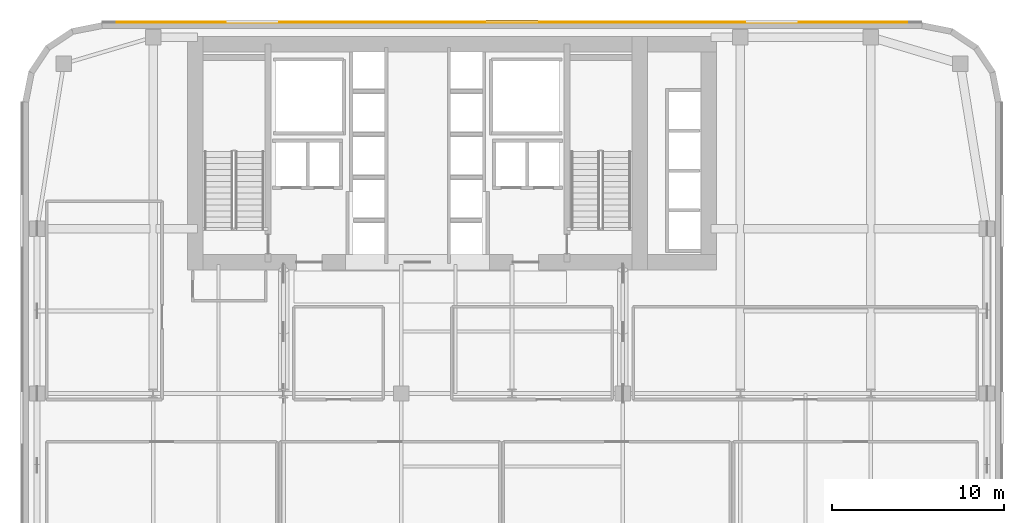
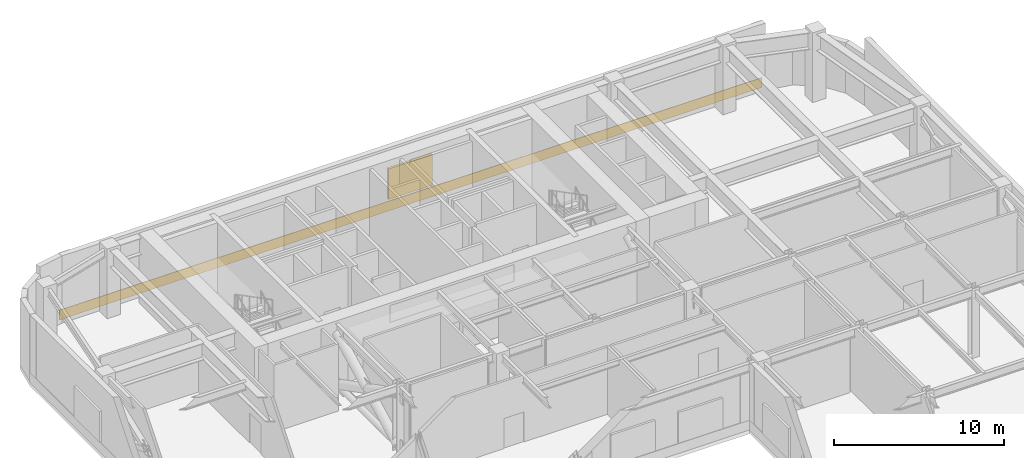
# One storey, part 10 of 11: 1 covering, 1 shading device.
"""IFC4 building model written with IfcOpenShell, lengths in metres."""

from ifc_helpers import new_model, si_unit, direction, frame, origin, place, context, subcontext, project, spatial, polyline, outline, extrude, material, layer, layer_set, type_object, element, save


model = new_model("IFC4")

# Units and contexts
model_context = context("Model", 3, precision=1e-05, world=origin(), true_north=direction((0.0, 1.0)))
body_context = subcontext(model_context, "Body", "Model", "MODEL_VIEW")
ifc_project = project(units=[si_unit("LENGTHUNIT", "METRE"), si_unit("AREAUNIT", "SQUARE_METRE"), si_unit("VOLUMEUNIT", "CUBIC_METRE"), si_unit("PLANEANGLEUNIT", "RADIAN"), si_unit("MASSUNIT", "GRAM", prefix="KILO")], contexts=[model_context])

# Site, building, storey
site_placement = place(None, origin())
site = spatial("IfcSite", under=ifc_project, at=site_placement, CompositionType="ELEMENT")
building_placement = place(site_placement, origin())
building = spatial("IfcBuilding", under=site, at=building_placement, Name="Tolvann Quenvar Hotel", CompositionType="ELEMENT")
storey_placement = place(building_placement, frame((0.0, 0.0, 95.89990234375)))
storey = spatial("IfcBuildingStorey", under=building, at=storey_placement, Name="L24", CompositionType="ELEMENT", Elevation=95.89990234375)

# Covering
ifc_material_1 = material(Name="Moulded buff architectural terracotta spandrel cladding", Category="masonry")
ifc_layer = layer(ifc_material_1, 0.0400390625)
ifc_layer_set = layer_set([ifc_layer], Name="Moulded buff architectural terracotta spandrel cladding")
covering_type = type_object("IfcCoveringType", Name="COV_CLAD_TERRA_40", PredefinedType="CLADDING", material=ifc_layer_set)
covering_placement = place(storey_placement, origin())
element("IfcCovering", 1, at=covering_placement, inside=storey, type_object=covering_type, Name="Terracotta Spandrel Cladding (L24-E18)", PredefinedType="CLADDING", context=body_context, shape_type="SweptSolid", body=[
    extrude(outline(polyline([(52.3427734375, 46.0), (4.6572265625, 46.0), (4.6572265625, 46.0400390625), (52.3427734375, 46.0400390625), (52.3427734375, 46.0)])), origin(), (0.0, 0.0, 1.0), 0.7001953125),
])

# Shading device
ifc_material_2 = material(Name="Extruded bronze-anodised aluminium acoustic weather louvre", Category="aluminium")
shading_device_type = type_object("IfcShadingDeviceType", Name="SHD_LOUVRE_AL", PredefinedType="JALOUSIE", material=ifc_material_2)
shading_device_placement = place(storey_placement, frame((0.0, 0.0, 0.820068359375)))
element("IfcShadingDevice", 2, at=shading_device_placement, inside=storey, type_object=shading_device_type, Name="Acoustic Plant Weather Louvre (L24-E18-2)", PredefinedType="JALOUSIE", context=body_context, shape_type="SweptSolid", body=[
    extrude(outline(polyline([(30.0, 46.0), (27.0, 46.0), (27.0, 46.14990234375), (30.0, 46.14990234375), (30.0, 46.0)])), origin(), (0.0, 0.0, 1.0), 2.199951171875),
])

save(model, "model.ifc")
